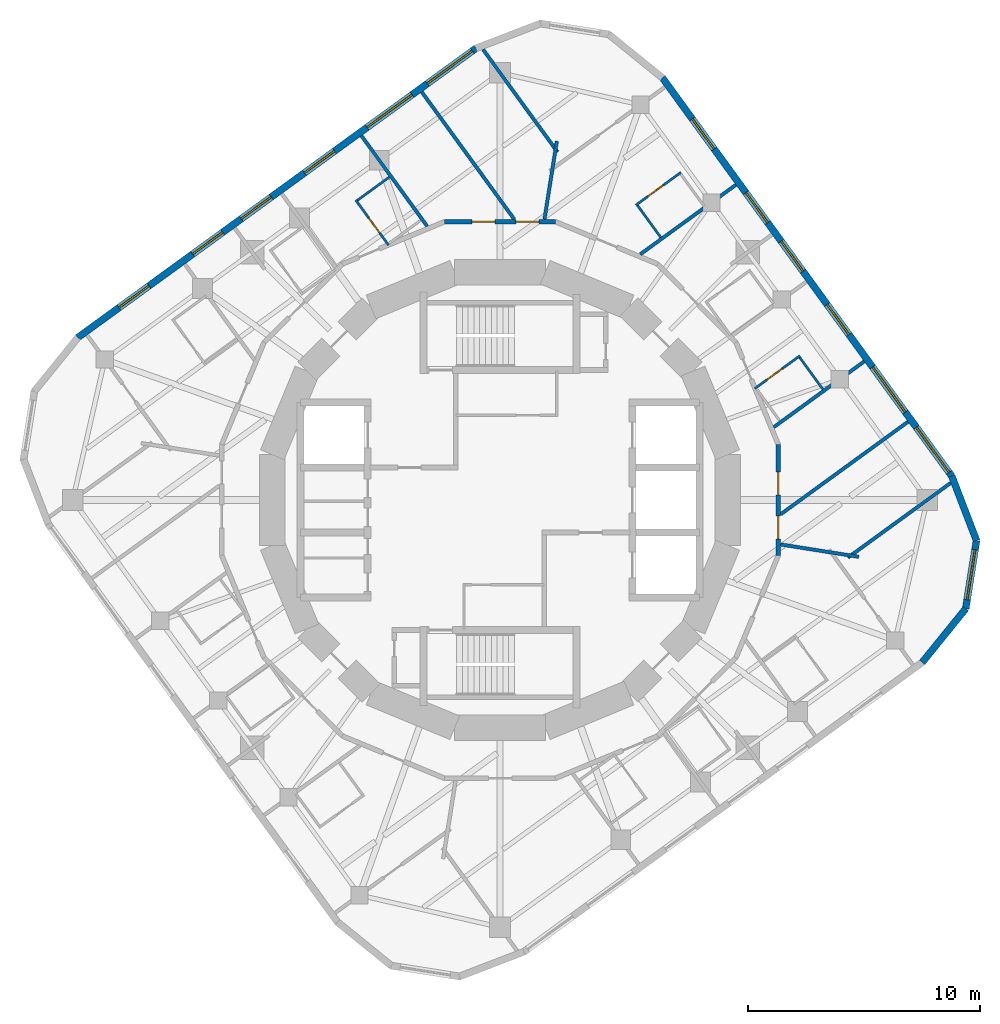
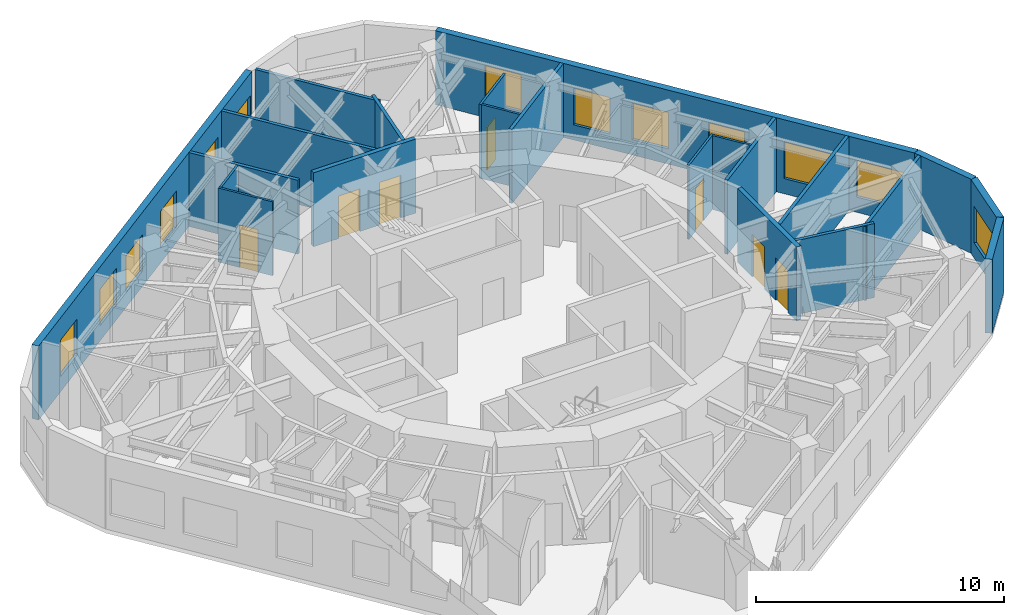
# One storey, part 7 of 9: 22 walls, 13 windows, 7 doors, 20 openings.
"""IFC4 building model written with IfcOpenShell, lengths in metres."""

import ifcopenshell
import ifcopenshell.guid

model = None  # the IFC model being written
_history = None  # IfcOwnerHistory: only IFC2X3 demands one
_inside = {}  # id of a spatial element -> (the spatial element, [elements in it])
_under = {}  # id of a project, library or spatial element -> (it, [spatial elements below it])
_declared = {}  # id of a project -> (the project, [libraries it declares])
_typed = {}  # id of a type object -> (the type object, [elements of that type])
_made_of = {}  # id of a material, layer set ... -> (it, [elements and type objects made of it])


def new_model(schema):
    """Start an empty IFC model of exactly this schema.

    Asked for "IFC4X3", IfcOpenShell would pick the latest addendum, in which some entities
    have other attributes; the version numbers below select the first issue.
    IFC2X3 requires an IfcOwnerHistory on every rooted entity: one is made here for all.
    """
    global model, _history
    if schema == "IFC4X3":
        model = ifcopenshell.file(schema_version=(4, 3, 0, 0))
    else:
        model = ifcopenshell.file(schema=schema)
    _inside.clear()
    _under.clear()
    _declared.clear()
    _typed.clear()
    _made_of.clear()
    _history = None
    if model.schema == "IFC2X3":
        org = make("IfcOrganization", Name="unknown")
        user = make(
            "IfcPersonAndOrganization",
            ThePerson=make("IfcPerson", FamilyName="unknown"),
            TheOrganization=org,
        )
        app = make(
            "IfcApplication",
            ApplicationDeveloper=org,
            Version="unknown",
            ApplicationFullName="unknown",
            ApplicationIdentifier="unknown",
        )
        _history = make(
            "IfcOwnerHistory",
            OwningUser=user,
            OwningApplication=app,
            ChangeAction="ADDED",
            CreationDate=0,
        )
    return model


def make(cls, **values):
    """One entity of the class cls with the attributes given. An attribute that is None is left unset."""
    return model.create_entity(
        cls, **{name: value for name, value in values.items() if value is not None}
    )


def rooted(cls, **values):
    """An entity with a GlobalId (a new one), such as an element, a storey or a relation."""
    return make(cls, GlobalId=ifcopenshell.guid.new(), OwnerHistory=_history, **values)


def si_unit(unit_type, name, prefix=None):
    """IfcSIUnit, for example si_unit("LENGTHUNIT", "METRE", prefix="MILLI")."""
    return make("IfcSIUnit", UnitType=unit_type, Prefix=prefix, Name=name)


def assignment(units):
    """IfcUnitAssignment: the units of a project."""
    return None if units is None else make("IfcUnitAssignment", Units=units)


def point(xyz):
    """IfcCartesianPoint."""
    return None if xyz is None else make("IfcCartesianPoint", Coordinates=xyz)


def direction(xyz):
    """IfcDirection."""
    return None if xyz is None else make("IfcDirection", DirectionRatios=xyz)


def frame(location, z_axis=None, x_axis=None):
    """IfcAxis2Placement3D, a coordinate frame: its origin and axes. An axis left out is left unset."""
    return make(
        "IfcAxis2Placement3D",
        Location=point(location),
        Axis=direction(z_axis),
        RefDirection=direction(x_axis),
    )


def frame_2d(location, x_axis=None):
    """IfcAxis2Placement2D, a coordinate frame in the plane: its origin and x axis."""
    return make(
        "IfcAxis2Placement2D", Location=point(location), RefDirection=direction(x_axis)
    )


def origin():
    """The frame at (0, 0, 0) with its axes left unset."""
    return frame((0.0, 0.0, 0.0))


def place(relative_to, where):
    """IfcLocalPlacement: puts the frame where relative to a parent placement (None: the world)."""
    return make(
        "IfcLocalPlacement", PlacementRelTo=relative_to, RelativePlacement=where
    )


def context(
    kind, dimensions, precision=None, world=None, true_north=None, identifier=None
):
    """IfcGeometricRepresentationContext, for example the 3D "Model" context."""
    return make(
        "IfcGeometricRepresentationContext",
        ContextIdentifier=identifier,
        ContextType=kind,
        CoordinateSpaceDimension=dimensions,
        Precision=precision,
        WorldCoordinateSystem=world,
        TrueNorth=true_north,
    )


def subcontext(parent, identifier, kind, view, scale=None):
    """IfcGeometricRepresentationSubContext, for example "Body" below "Model"."""
    return make(
        "IfcGeometricRepresentationSubContext",
        ContextIdentifier=identifier,
        ContextType=kind,
        ParentContext=parent,
        TargetScale=scale,
        TargetView=view,
    )


def project(units=None, contexts=None):
    """IfcProject with its units and contexts."""
    return rooted(
        "IfcProject",
        Name="project",
        RepresentationContexts=contexts,
        UnitsInContext=assignment(units),
    )


def spatial(cls, under=None, at=None, **own):
    """A site, building, storey or space (cls), placed at a placement, below another one or the project."""
    s = rooted(cls, ObjectPlacement=at, **own)
    if under is not None:
        _under.setdefault(under.id(), (under, []))[1].append(s)
    return s


def profile(cls, at=None, kind="AREA", **sizes):
    """A parametric profile (cls). Its sizes go by their IFC names, for example OverallWidth=200.0."""
    return make(cls, ProfileType=kind, Position=at, **sizes)


def rectangle(**sizes):
    """IfcRectangleProfileDef."""
    return profile("IfcRectangleProfileDef", **sizes)


def extrude(swept, where, along, depth):
    """IfcExtrudedAreaSolid: the profile swept, set in the frame where, extruded along a direction by depth."""
    return make(
        "IfcExtrudedAreaSolid",
        SweptArea=swept,
        Position=where,
        ExtrudedDirection=direction(along),
        Depth=depth,
    )


def shape(context_of_items, identifier, shape_type, items):
    """IfcShapeRepresentation: the items that make up one representation, for example the "Body"."""
    return make(
        "IfcShapeRepresentation",
        ContextOfItems=context_of_items,
        RepresentationIdentifier=identifier,
        RepresentationType=shape_type,
        Items=items,
    )


def material(Name=None, Category=None):
    """IfcMaterial."""
    return make("IfcMaterial", Name=Name, Category=Category)


def layer(
    of_material, thickness, ventilated=None, Name=None, Category=None, Priority=None
):
    """IfcMaterialLayer: one layer of a wall or slab, of a material (None: an air gap)."""
    return make(
        "IfcMaterialLayer",
        Material=of_material,
        LayerThickness=thickness,
        IsVentilated=ventilated,
        Name=Name,
        Category=Category,
        Priority=Priority,
    )


def layer_set(layers, Name=None):
    """IfcMaterialLayerSet."""
    return make("IfcMaterialLayerSet", MaterialLayers=layers, LayerSetName=Name)


def made_of(thing, what):
    """Note that an element or type object is made of a material, layer set ...; save() writes the relation."""
    if what is not None:
        _made_of.setdefault(what.id(), (what, []))[1].append(thing)
    return thing


def type_object(cls, material=None, **own):
    """A type object (cls), such as IfcWallType, which elements share."""
    return made_of(rooted(cls, **own), material)


def element(
    cls,
    number,
    at=None,
    inside=None,
    cuts=None,
    type_object=None,
    material=None,
    context=None,
    identifier="Body",
    shape_type=None,
    held_by="IfcProductDefinitionShape",
    body=None,
    shapes=None,
    **own,
):
    """One element of the class cls, such as IfcWall. Its Tag is "e" and its number.

    at: its placement. inside: the storey or other place that contains it. cuts: it is an
    opening in that element (IfcRelVoidsElement). A single representation is given by context,
    identifier, shape_type and body (its items); several are given by shapes. held_by: the class
    of the entity that holds the representations. save() writes the other relations.
    """
    e = rooted(cls, Tag="e%d" % number, ObjectPlacement=at, **own)
    if body is not None:
        shapes = [shape(context, identifier, shape_type, body)]
    if shapes is not None:
        e.Representation = make(held_by, Representations=shapes)
    if inside is not None:
        _inside.setdefault(inside.id(), (inside, []))[1].append(e)
    if cuts is not None:
        rooted(
            "IfcRelVoidsElement", RelatingBuildingElement=cuts, RelatedOpeningElement=e
        )
    if type_object is not None:
        _typed.setdefault(type_object.id(), (type_object, []))[1].append(e)
    return made_of(e, material)


def fill(opening, filler):
    """IfcRelFillsElement: the door or window that sits in an opening."""
    return rooted(
        "IfcRelFillsElement",
        RelatingOpeningElement=opening,
        RelatedBuildingElement=filler,
    )


def aggregate(whole, parts):
    """IfcRelAggregates: a whole, such as a stair, and the parts it consists of."""
    return rooted("IfcRelAggregates", RelatingObject=whole, RelatedObjects=parts)


def save(model, path):
    """Write the relations noted so far, then the file.

    IfcRelAggregates (storeys below a building ...), IfcRelContainedInSpatialStructure (elements
    in a storey), IfcRelDefinesByType, IfcRelAssociatesMaterial and IfcRelDeclares: one each for
    every whole, place, type object, material and project.
    """
    for whole, parts in _under.values():
        aggregate(whole, parts)
    for where, things in _inside.values():
        rooted(
            "IfcRelContainedInSpatialStructure",
            RelatedElements=things,
            RelatingStructure=where,
        )
    for kind, things in _typed.values():
        rooted("IfcRelDefinesByType", RelatedObjects=things, RelatingType=kind)
    for what, things in _made_of.values():
        rooted("IfcRelAssociatesMaterial", RelatedObjects=things, RelatingMaterial=what)
    for by, libraries in _declared.values():
        rooted("IfcRelDeclares", RelatingContext=by, RelatedDefinitions=libraries)
    model.write(path)


model = new_model("IFC4")

# Units and contexts
model_context = context("Model", 3, precision=1e-05, world=origin(), true_north=direction((0.0, 1.0)))
body_context = subcontext(model_context, "Body", "Model", "MODEL_VIEW")
ifc_project = project(units=[si_unit("LENGTHUNIT", "METRE"), si_unit("AREAUNIT", "SQUARE_METRE"), si_unit("VOLUMEUNIT", "CUBIC_METRE"), si_unit("PLANEANGLEUNIT", "RADIAN"), si_unit("MASSUNIT", "GRAM", prefix="KILO")], contexts=[model_context])

# Site, building, storey
site_placement = place(None, origin())
site = spatial("IfcSite", under=ifc_project, at=site_placement, CompositionType="ELEMENT")
building_placement = place(site_placement, origin())
building = spatial("IfcBuilding", under=site, at=building_placement, Name="Nakasero Lantern House", CompositionType="ELEMENT")
storey_placement = place(building_placement, frame((0.0, 0.0, 275.300048828125)))
storey = spatial("IfcBuildingStorey", under=building, at=storey_placement, Name="L67", CompositionType="ELEMENT", Elevation=275.300048828125)

# Wall, openings, doors
ifc_material_1 = material(Name="Blockwork", Category="masonry")
ifc_layer_1 = layer(ifc_material_1, 0.199951171875)
ifc_layer_set_1 = layer_set([ifc_layer_1], Name="Corridor wall 200")
wall_type_1 = type_object("IfcWallType", Name="Corridor wall 200", PredefinedType="PARTITIONING", material=ifc_layer_set_1)
wall_1_placement = place(storey_placement, frame((11.98779296875, 2.384521484375, 0.0), z_axis=(0.0, 0.0, 1.0), x_axis=(0.0, -1.0, 0.0)))
wall_1 = element("IfcWall", 1, at=wall_1_placement, inside=storey, type_object=wall_type_1, Name="Corridor wall L67 RC00a", PredefinedType="PARTITIONING", context=body_context, shape_type="SweptSolid", body=[
    extrude(rectangle(XDim=4.76904296875, YDim=0.199951171875, at=frame_2d((2.384521484375, 0.0))), origin(), (0.0, 0.0, 1.0), 3.64990234375),
])
opening_1_placement = place(wall_1_placement, frame((3.070068359375, 0.0, 0.0)))
opening_1 = element("IfcOpeningElement", 2, at=opening_1_placement, cuts=wall_1, Name="Opening D03", PredefinedType="OPENING", context=body_context, shape_type="SweptSolid", body=[
    extrude(rectangle(XDim=1.0, YDim=2.10009765625, at=frame_2d((0.5, 1.050048828125))), frame((0.0, 0.119873046875, 0.0), z_axis=(0.0, -1.0, 0.0), x_axis=(1.0, 0.0, 0.0)), (0.0, 0.0, 1.0), 0.239990234375),
])
opening_2_placement = place(wall_1_placement, frame((1.169921875, 0.0, 0.0)))
opening_2 = element("IfcOpeningElement", 3, at=opening_2_placement, cuts=wall_1, Name="Opening D03", PredefinedType="OPENING", context=body_context, shape_type="SweptSolid", body=[
    extrude(rectangle(XDim=1.0, YDim=2.10009765625, at=frame_2d((0.5, 1.050048828125))), frame((0.0, 0.119873046875, 0.0), z_axis=(0.0, -1.0, 0.0), x_axis=(1.0, 0.0, 0.0)), (0.0, 0.0, 1.0), 0.239990234375),
])
ifc_material_2 = material(Name="Timber C24", Category="wood")
door_type_1 = type_object("IfcDoorType", Name="Lounge door FD30S 1000", OperationType="SINGLE_SWING_LEFT", PredefinedType="DOOR", material=ifc_material_2)
door_1_placement = place(opening_1_placement, origin())
door_1 = element("IfcDoor", 4, at=door_1_placement, inside=storey, type_object=door_type_1, Name="Door L67 DK0", OperationType="SINGLE_SWING_RIGHT", OverallHeight=2.10009765625, OverallWidth=1.0, PredefinedType="DOOR", context=body_context, shape_type="SweptSolid", body=[
    extrude(rectangle(XDim=1.0, YDim=2.10009765625, at=frame_2d((0.5, 1.050048828125))), frame((0.0, 0.02490234375, 0.0), z_axis=(0.0, -1.0, 0.0), x_axis=(1.0, 0.0, 0.0)), (0.0, 0.0, 1.0), 0.050048828125),
])
fill(opening_1, door_1)
door_2_placement = place(opening_2_placement, origin())
door_2 = element("IfcDoor", 5, at=door_2_placement, inside=storey, type_object=door_type_1, Name="Door L67 DK0-1", OperationType="SINGLE_SWING_LEFT", OverallHeight=2.10009765625, OverallWidth=1.0, PredefinedType="DOOR", context=body_context, shape_type="SweptSolid", body=[
    extrude(rectangle(XDim=1.0, YDim=2.10009765625, at=frame_2d((0.5, 1.050048828125))), frame((0.0, 0.02490234375, 0.0), z_axis=(0.0, -1.0, 0.0), x_axis=(1.0, 0.0, 0.0)), (0.0, 0.0, 1.0), 0.050048828125),
])
fill(opening_2, door_2)

wall_2_placement = place(storey_placement, frame((-2.384521484375, 11.98779296875, 0.0), z_axis=(0.0, 0.0, 1.0), x_axis=(1.0, 0.0, 0.0)))
wall_2 = element("IfcWall", 6, at=wall_2_placement, inside=storey, type_object=wall_type_1, Name="Corridor wall L67 RC12a", PredefinedType="PARTITIONING", context=body_context, shape_type="SweptSolid", body=[
    extrude(rectangle(XDim=4.76904296875, YDim=0.199951171875, at=frame_2d((2.384521484375, 0.0))), origin(), (0.0, 0.0, 1.0), 3.64990234375),
])
opening_3_placement = place(wall_2_placement, frame((3.070068359375, 0.0, 0.0)))
opening_3 = element("IfcOpeningElement", 7, at=opening_3_placement, cuts=wall_2, Name="Opening D03", PredefinedType="OPENING", context=body_context, shape_type="SweptSolid", body=[
    extrude(rectangle(XDim=1.0, YDim=2.10009765625, at=frame_2d((0.5, 1.050048828125))), frame((0.0, 0.119873046875, 0.0), z_axis=(0.0, -1.0, 0.0), x_axis=(1.0, 0.0, 0.0)), (0.0, 0.0, 1.0), 0.239990234375),
])
opening_4_placement = place(wall_2_placement, frame((1.169921875, 0.0, 0.0)))
opening_4 = element("IfcOpeningElement", 8, at=opening_4_placement, cuts=wall_2, Name="Opening D03", PredefinedType="OPENING", context=body_context, shape_type="SweptSolid", body=[
    extrude(rectangle(XDim=1.0, YDim=2.10009765625, at=frame_2d((0.5, 1.050048828125))), frame((0.0, 0.119873046875, 0.0), z_axis=(0.0, -1.0, 0.0), x_axis=(1.0, 0.0, 0.0)), (0.0, 0.0, 1.0), 0.239990234375),
])
door_3_placement = place(opening_3_placement, origin())
door_3 = element("IfcDoor", 9, at=door_3_placement, inside=storey, type_object=door_type_1, Name="Door L67 DK1", OperationType="SINGLE_SWING_RIGHT", OverallHeight=2.10009765625, OverallWidth=1.0, PredefinedType="DOOR", context=body_context, shape_type="SweptSolid", body=[
    extrude(rectangle(XDim=1.0, YDim=2.10009765625, at=frame_2d((0.5, 1.050048828125))), frame((0.0, 0.02490234375, 0.0), z_axis=(0.0, -1.0, 0.0), x_axis=(1.0, 0.0, 0.0)), (0.0, 0.0, 1.0), 0.050048828125),
])
fill(opening_3, door_3)
door_4_placement = place(opening_4_placement, origin())
door_4 = element("IfcDoor", 10, at=door_4_placement, inside=storey, type_object=door_type_1, Name="Door L67 DK1-1", OperationType="SINGLE_SWING_LEFT", OverallHeight=2.10009765625, OverallWidth=1.0, PredefinedType="DOOR", context=body_context, shape_type="SweptSolid", body=[
    extrude(rectangle(XDim=1.0, YDim=2.10009765625, at=frame_2d((0.5, 1.050048828125))), frame((0.0, 0.02490234375, 0.0), z_axis=(0.0, -1.0, 0.0), x_axis=(1.0, 0.0, 0.0)), (0.0, 0.0, 1.0), 0.050048828125),
])
fill(opening_4, door_4)

# Wall, opening, door
ifc_material_3 = material(Name="Blockwork", Category="masonry")
ifc_layer_2 = layer(ifc_material_3, 0.10009765625)
ifc_layer_set_2 = layer_set([ifc_layer_2], Name="En-suite wall 100")
wall_type_2 = type_object("IfcWallType", Name="En-suite wall 100", PredefinedType="PARTITIONING", material=ifc_layer_set_2)
wall_3_placement = place(storey_placement, frame((10.97705078125, 4.80126953125, 0.0), z_axis=(0.0, 0.0, 1.0), x_axis=(0.809026317077, 0.587772420479, 0.0)))
wall_3 = element("IfcWall", 11, at=wall_3_placement, inside=storey, type_object=wall_type_2, Name="En-suite wall L67 ES0-03", PredefinedType="PARTITIONING", context=body_context, shape_type="SweptSolid", body=[
    extrude(rectangle(XDim=2.39990234375, YDim=0.10009765625, at=frame_2d((1.199951171875, 0.0))), origin(), (0.0, 0.0, 1.0), 3.64990234375),
])
opening_5_placement = place(wall_3_placement, frame((0.64990234375, 0.0, 0.0)))
opening_5 = element("IfcOpeningElement", 12, at=opening_5_placement, cuts=wall_3, Name="Opening D02", PredefinedType="OPENING", context=body_context, shape_type="SweptSolid", body=[
    extrude(rectangle(XDim=0.800048828125, YDim=2.10009765625, at=frame_2d((0.39990234375, 1.050048828125))), frame((0.0, 0.070068359375, 0.0), z_axis=(0.0, -1.0, 0.0), x_axis=(1.0, 0.0, 0.0)), (0.0, 0.0, 1.0), 0.14013671875),
])
ifc_material_4 = material(Name="Timber C24", Category="wood")
door_type_2 = type_object("IfcDoorType", Name="En-suite door 800", OperationType="SINGLE_SWING_RIGHT", PredefinedType="DOOR", material=ifc_material_4)
door_5_placement = place(opening_5_placement, origin())
door_5 = element("IfcDoor", 13, at=door_5_placement, inside=storey, type_object=door_type_2, Name="Door L67 DE0-03", OperationType="SINGLE_SWING_LEFT", OverallHeight=2.10009765625, OverallWidth=0.800048828125, PredefinedType="DOOR", context=body_context, shape_type="SweptSolid", body=[
    extrude(rectangle(XDim=0.800048828125, YDim=2.10009765625, at=frame_2d((0.39990234375, 1.050048828125))), frame((0.0, 0.02490234375, 0.0), z_axis=(0.0, -1.0, 0.0), x_axis=(1.0, 0.0, 0.0)), (0.0, 0.0, 1.0), 0.050048828125),
])
fill(opening_5, door_5)

# Wall
wall_4_placement = place(storey_placement, frame((13.906982421875, 4.766845703125, 0.0), z_axis=(0.0, 0.0, 1.0), x_axis=(-0.587821529301, 0.808990636343, 0.0)))
element("IfcWall", 14, at=wall_4_placement, inside=storey, type_object=wall_type_2, Name="En-suite wall L67 EE0-03", PredefinedType="PARTITIONING", context=body_context, shape_type="SweptSolid", body=[
    extrude(rectangle(XDim=1.699951171875, YDim=0.10009765625, at=frame_2d((0.85009765625, 0.0))), origin(), (0.0, 0.0, 1.0), 3.64990234375),
])

# Wall, opening, door
wall_5_placement = place(storey_placement, frame((5.852783203125, 12.7001953125, 0.0), z_axis=(0.0, 0.0, 1.0), x_axis=(0.809026317077, 0.587772420479, 0.0)))
wall_5 = element("IfcWall", 15, at=wall_5_placement, inside=storey, type_object=wall_type_2, Name="En-suite wall L67 ES0-06", PredefinedType="PARTITIONING", context=body_context, shape_type="SweptSolid", body=[
    extrude(rectangle(XDim=2.39990234375, YDim=0.10009765625, at=frame_2d((1.199951171875, 0.0))), origin(), (0.0, 0.0, 1.0), 3.64990234375),
])
opening_6_placement = place(wall_5_placement, frame((0.64990234375, 0.0, 0.0)))
opening_6 = element("IfcOpeningElement", 16, at=opening_6_placement, cuts=wall_5, Name="Opening D02", PredefinedType="OPENING", context=body_context, shape_type="SweptSolid", body=[
    extrude(rectangle(XDim=0.800048828125, YDim=2.10009765625, at=frame_2d((0.39990234375, 1.050048828125))), frame((0.0, 0.070068359375, 0.0), z_axis=(0.0, -1.0, 0.0), x_axis=(1.0, 0.0, 0.0)), (0.0, 0.0, 1.0), 0.14013671875),
])
door_6_placement = place(opening_6_placement, origin())
door_6 = element("IfcDoor", 17, at=door_6_placement, inside=storey, type_object=door_type_2, Name="Door L67 DE0-06", OperationType="SINGLE_SWING_LEFT", OverallHeight=2.10009765625, OverallWidth=0.800048828125, PredefinedType="DOOR", context=body_context, shape_type="SweptSolid", body=[
    extrude(rectangle(XDim=0.800048828125, YDim=2.10009765625, at=frame_2d((0.39990234375, 1.050048828125))), frame((0.0, 0.02490234375, 0.0), z_axis=(0.0, -1.0, 0.0), x_axis=(1.0, 0.0, 0.0)), (0.0, 0.0, 1.0), 0.050048828125),
])
fill(opening_6, door_6)

# Wall
wall_6_placement = place(storey_placement, frame((6.921875, 11.313720703125, 0.0), z_axis=(0.0, 0.0, 1.0), x_axis=(-0.58775323954, 0.809040252033, 0.0)))
element("IfcWall", 18, at=wall_6_placement, inside=storey, type_object=wall_type_2, Name="En-suite wall L67 EI0-06", PredefinedType="PARTITIONING", context=body_context, shape_type="SweptSolid", body=[
    extrude(rectangle(XDim=1.7001953125, YDim=0.10009765625, at=frame_2d((0.85009765625, 0.0))), origin(), (0.0, 0.0, 1.0), 3.64990234375),
])

# Wall, opening, door
wall_7_placement = place(storey_placement, frame((-4.80126953125, 10.97705078125, 0.0), z_axis=(0.0, 0.0, 1.0), x_axis=(-0.587772420479, 0.809026317077, 0.0)))
wall_7 = element("IfcWall", 19, at=wall_7_placement, inside=storey, type_object=wall_type_2, Name="En-suite wall L67 ES1-03", PredefinedType="PARTITIONING", context=body_context, shape_type="SweptSolid", body=[
    extrude(rectangle(XDim=2.39990234375, YDim=0.10009765625, at=frame_2d((1.199951171875, 0.0))), origin(), (0.0, 0.0, 1.0), 3.64990234375),
])
opening_7_placement = place(wall_7_placement, frame((0.64990234375, 0.0, 0.0)))
opening_7 = element("IfcOpeningElement", 20, at=opening_7_placement, cuts=wall_7, Name="Opening D02", PredefinedType="OPENING", context=body_context, shape_type="SweptSolid", body=[
    extrude(rectangle(XDim=0.800048828125, YDim=2.10009765625, at=frame_2d((0.39990234375, 1.050048828125))), frame((0.0, 0.070068359375, 0.0), z_axis=(0.0, -1.0, 0.0), x_axis=(1.0, 0.0, 0.0)), (0.0, 0.0, 1.0), 0.14013671875),
])
door_7_placement = place(opening_7_placement, origin())
door_7 = element("IfcDoor", 21, at=door_7_placement, inside=storey, type_object=door_type_2, Name="Door L67 DE1-03", OperationType="SINGLE_SWING_LEFT", OverallHeight=2.10009765625, OverallWidth=0.800048828125, PredefinedType="DOOR", context=body_context, shape_type="SweptSolid", body=[
    extrude(rectangle(XDim=0.800048828125, YDim=2.10009765625, at=frame_2d((0.39990234375, 1.050048828125))), frame((0.0, 0.02490234375, 0.0), z_axis=(0.0, -1.0, 0.0), x_axis=(1.0, 0.0, 0.0)), (0.0, 0.0, 1.0), 0.050048828125),
])
fill(opening_7, door_7)

# Wall
wall_8_placement = place(storey_placement, frame((-4.766845703125, 13.906982421875, 0.0), z_axis=(0.0, 0.0, 1.0), x_axis=(-0.808990636343, -0.587821529301, 0.0)))
element("IfcWall", 22, at=wall_8_placement, inside=storey, type_object=wall_type_2, Name="En-suite wall L67 EE1-03", PredefinedType="PARTITIONING", context=body_context, shape_type="SweptSolid", body=[
    extrude(rectangle(XDim=1.699951171875, YDim=0.10009765625, at=frame_2d((0.85009765625, 0.0))), origin(), (0.0, 0.0, 1.0), 3.64990234375),
])

# Wall, openings, windows
ifc_material_5 = material(Name="Aluminium rainscreen on blockwork", Category="masonry")
ifc_layer_3 = layer(ifc_material_5, 0.300048828125)
ifc_layer_set_3 = layer_set([ifc_layer_3], Name="Facade wall 300")
wall_type_3 = type_object("IfcWallType", Name="Facade wall 300", PredefinedType="SOLIDWALL", material=ifc_layer_set_3)
wall_9_placement = place(storey_placement, frame((19.4580078125, 1.03466796875, 0.0), z_axis=(0.0, 0.0, 1.0), x_axis=(-0.587790233451, 0.809013375328, 0.0)))
wall_9 = element("IfcWall", 23, at=wall_9_placement, inside=storey, type_object=wall_type_3, Name="Facade wall L67 FW0S", PredefinedType="SOLIDWALL", context=body_context, shape_type="SweptSolid", body=[
    extrude(rectangle(XDim=21.199951171875, YDim=0.300048828125, at=frame_2d((10.60009765625, 0.0))), origin(), (0.0, 0.0, 1.0), 3.64990234375),
])
opening_8_placement = place(wall_9_placement, frame((7.52783203125, 0.0, 0.75)))
opening_8 = element("IfcOpeningElement", 24, at=opening_8_placement, cuts=wall_9, Name="Opening W01", PredefinedType="OPENING", context=body_context, shape_type="SweptSolid", body=[
    extrude(rectangle(XDim=1.60009765625, YDim=1.800048828125, at=frame_2d((0.800048828125, 0.89990234375))), frame((0.0, 0.169921875, 0.0), z_axis=(0.0, -1.0, 0.0), x_axis=(1.0, 0.0, 0.0)), (0.0, 0.0, 1.0), 0.340087890625),
])
opening_9_placement = place(wall_9_placement, frame((10.904052734375, 0.0, 0.75)))
opening_9 = element("IfcOpeningElement", 25, at=opening_9_placement, cuts=wall_9, Name="Opening W01", PredefinedType="OPENING", context=body_context, shape_type="SweptSolid", body=[
    extrude(rectangle(XDim=1.60009765625, YDim=1.800048828125, at=frame_2d((0.800048828125, 0.89990234375))), frame((0.0, 0.169921875, 0.0), z_axis=(0.0, -1.0, 0.0), x_axis=(1.0, 0.0, 0.0)), (0.0, 0.0, 1.0), 0.340087890625),
])
opening_10_placement = place(wall_9_placement, frame((13.484619140625, 0.0, 0.75)))
opening_10 = element("IfcOpeningElement", 26, at=opening_10_placement, cuts=wall_9, Name="Opening W01", PredefinedType="OPENING", context=body_context, shape_type="SweptSolid", body=[
    extrude(rectangle(XDim=1.60009765625, YDim=1.800048828125, at=frame_2d((0.800048828125, 0.89990234375))), frame((0.0, 0.169921875, 0.0), z_axis=(0.0, -1.0, 0.0), x_axis=(1.0, 0.0, 0.0)), (0.0, 0.0, 1.0), 0.340087890625),
])
opening_11_placement = place(wall_9_placement, frame((17.410888671875, 0.0, 0.75)))
opening_11 = element("IfcOpeningElement", 27, at=opening_11_placement, cuts=wall_9, Name="Opening W01", PredefinedType="OPENING", context=body_context, shape_type="SweptSolid", body=[
    extrude(rectangle(XDim=1.60009765625, YDim=1.800048828125, at=frame_2d((0.800048828125, 0.89990234375))), frame((0.0, 0.169921875, 0.0), z_axis=(0.0, -1.0, 0.0), x_axis=(1.0, 0.0, 0.0)), (0.0, 0.0, 1.0), 0.340087890625),
])
opening_12_placement = place(wall_9_placement, frame((0.1904296875, 0.0, 0.75)))
opening_12 = element("IfcOpeningElement", 28, at=opening_12_placement, cuts=wall_9, Name="Opening W03", PredefinedType="OPENING", context=body_context, shape_type="SweptSolid", body=[
    extrude(rectangle(XDim=2.39990234375, YDim=1.800048828125, at=frame_2d((1.199951171875, 0.89990234375))), frame((0.0, 0.169921875, 0.0), z_axis=(0.0, -1.0, 0.0), x_axis=(1.0, 0.0, 0.0)), (0.0, 0.0, 1.0), 0.340087890625),
])
opening_13_placement = place(wall_9_placement, frame((3.401611328125, 0.0, 0.75)))
opening_13 = element("IfcOpeningElement", 29, at=opening_13_placement, cuts=wall_9, Name="Opening W03", PredefinedType="OPENING", context=body_context, shape_type="SweptSolid", body=[
    extrude(rectangle(XDim=2.39990234375, YDim=1.800048828125, at=frame_2d((1.199951171875, 0.89990234375))), frame((0.0, 0.169921875, 0.0), z_axis=(0.0, -1.0, 0.0), x_axis=(1.0, 0.0, 0.0)), (0.0, 0.0, 1.0), 0.340087890625),
])
ifc_material_6 = material(Name="Aluminium 6063-T6 and glass", Category="aluminium")
window_type_1 = type_object("IfcWindowType", Name="Bedroom window 1600x1800", PartitioningType="SINGLE_PANEL", PredefinedType="WINDOW", material=ifc_material_6)
window_1_placement = place(opening_8_placement, origin())
window_1 = element("IfcWindow", 30, at=window_1_placement, inside=storey, type_object=window_type_1, Name="Window L67 WN0-03", OverallHeight=1.800048828125, OverallWidth=1.60009765625, PartitioningType="SINGLE_PANEL", PredefinedType="WINDOW", context=body_context, shape_type="SweptSolid", body=[
    extrude(rectangle(XDim=1.60009765625, YDim=1.800048828125, at=frame_2d((0.800048828125, 0.89990234375))), frame((0.0, 0.030029296875, 0.0), z_axis=(0.0, -1.0, 0.0), x_axis=(1.0, 0.0, 0.0)), (0.0, 0.0, 1.0), 0.06005859375),
])
fill(opening_8, window_1)
window_2_placement = place(opening_9_placement, origin())
window_2 = element("IfcWindow", 31, at=window_2_placement, inside=storey, type_object=window_type_1, Name="Window L67 WN0-04", OverallHeight=1.800048828125, OverallWidth=1.60009765625, PartitioningType="SINGLE_PANEL", PredefinedType="WINDOW", context=body_context, shape_type="SweptSolid", body=[
    extrude(rectangle(XDim=1.60009765625, YDim=1.800048828125, at=frame_2d((0.800048828125, 0.89990234375))), frame((0.0, 0.030029296875, 0.0), z_axis=(0.0, -1.0, 0.0), x_axis=(1.0, 0.0, 0.0)), (0.0, 0.0, 1.0), 0.06005859375),
])
fill(opening_9, window_2)
window_3_placement = place(opening_10_placement, origin())
window_3 = element("IfcWindow", 32, at=window_3_placement, inside=storey, type_object=window_type_1, Name="Window L67 WN0-05", OverallHeight=1.800048828125, OverallWidth=1.60009765625, PartitioningType="SINGLE_PANEL", PredefinedType="WINDOW", context=body_context, shape_type="SweptSolid", body=[
    extrude(rectangle(XDim=1.60009765625, YDim=1.800048828125, at=frame_2d((0.800048828125, 0.89990234375))), frame((0.0, 0.030029296875, 0.0), z_axis=(0.0, -1.0, 0.0), x_axis=(1.0, 0.0, 0.0)), (0.0, 0.0, 1.0), 0.06005859375),
])
fill(opening_10, window_3)
window_4_placement = place(opening_11_placement, origin())
window_4 = element("IfcWindow", 33, at=window_4_placement, inside=storey, type_object=window_type_1, Name="Window L67 WN0-06", OverallHeight=1.800048828125, OverallWidth=1.60009765625, PartitioningType="SINGLE_PANEL", PredefinedType="WINDOW", context=body_context, shape_type="SweptSolid", body=[
    extrude(rectangle(XDim=1.60009765625, YDim=1.800048828125, at=frame_2d((0.800048828125, 0.89990234375))), frame((0.0, 0.030029296875, 0.0), z_axis=(0.0, -1.0, 0.0), x_axis=(1.0, 0.0, 0.0)), (0.0, 0.0, 1.0), 0.06005859375),
])
fill(opening_11, window_4)
ifc_material_7 = material(Name="Aluminium 6063-T6 and glass", Category="aluminium")
window_type_2 = type_object("IfcWindowType", Name="Lounge window 2400x1800", PartitioningType="SINGLE_PANEL", PredefinedType="WINDOW", material=ifc_material_7)
window_5_placement = place(opening_12_placement, origin())
window_5 = element("IfcWindow", 34, at=window_5_placement, inside=storey, type_object=window_type_2, Name="Window L67 WK0", OverallHeight=1.800048828125, OverallWidth=2.39990234375, PartitioningType="SINGLE_PANEL", PredefinedType="WINDOW", context=body_context, shape_type="SweptSolid", body=[
    extrude(rectangle(XDim=2.39990234375, YDim=1.800048828125, at=frame_2d((1.199951171875, 0.89990234375))), frame((0.0, 0.030029296875, 0.0), z_axis=(0.0, -1.0, 0.0), x_axis=(1.0, 0.0, 0.0)), (0.0, 0.0, 1.0), 0.06005859375),
])
fill(opening_12, window_5)
window_6_placement = place(opening_13_placement, origin())
window_6 = element("IfcWindow", 35, at=window_6_placement, inside=storey, type_object=window_type_2, Name="Window L67 WL0", OverallHeight=1.800048828125, OverallWidth=2.39990234375, PartitioningType="SINGLE_PANEL", PredefinedType="WINDOW", context=body_context, shape_type="SweptSolid", body=[
    extrude(rectangle(XDim=2.39990234375, YDim=1.800048828125, at=frame_2d((1.199951171875, 0.89990234375))), frame((0.0, 0.030029296875, 0.0), z_axis=(0.0, -1.0, 0.0), x_axis=(1.0, 0.0, 0.0)), (0.0, 0.0, 1.0), 0.06005859375),
])
fill(opening_13, window_6)

wall_10_placement = place(storey_placement, frame((-1.03466796875, 19.4580078125, 0.0), z_axis=(0.0, 0.0, 1.0), x_axis=(-0.809013375328, -0.587790233451, 0.0)))
wall_10 = element("IfcWall", 36, at=wall_10_placement, inside=storey, type_object=wall_type_3, Name="Facade wall L67 FW1S", PredefinedType="SOLIDWALL", context=body_context, shape_type="SweptSolid", body=[
    extrude(rectangle(XDim=21.199951171875, YDim=0.300048828125, at=frame_2d((10.60009765625, 0.0))), origin(), (0.0, 0.0, 1.0), 3.64990234375),
])
opening_14_placement = place(wall_10_placement, frame((7.52783203125, 0.0, 0.75)))
opening_14 = element("IfcOpeningElement", 37, at=opening_14_placement, cuts=wall_10, Name="Opening W01", PredefinedType="OPENING", context=body_context, shape_type="SweptSolid", body=[
    extrude(rectangle(XDim=1.60009765625, YDim=1.800048828125, at=frame_2d((0.800048828125, 0.89990234375))), frame((0.0, 0.169921875, 0.0), z_axis=(0.0, -1.0, 0.0), x_axis=(1.0, 0.0, 0.0)), (0.0, 0.0, 1.0), 0.340087890625),
])
opening_15_placement = place(wall_10_placement, frame((10.904052734375, 0.0, 0.75)))
opening_15 = element("IfcOpeningElement", 38, at=opening_15_placement, cuts=wall_10, Name="Opening W01", PredefinedType="OPENING", context=body_context, shape_type="SweptSolid", body=[
    extrude(rectangle(XDim=1.60009765625, YDim=1.800048828125, at=frame_2d((0.800048828125, 0.89990234375))), frame((0.0, 0.169921875, 0.0), z_axis=(0.0, -1.0, 0.0), x_axis=(1.0, 0.0, 0.0)), (0.0, 0.0, 1.0), 0.340087890625),
])
opening_16_placement = place(wall_10_placement, frame((13.484619140625, 0.0, 0.75)))
opening_16 = element("IfcOpeningElement", 39, at=opening_16_placement, cuts=wall_10, Name="Opening W01", PredefinedType="OPENING", context=body_context, shape_type="SweptSolid", body=[
    extrude(rectangle(XDim=1.60009765625, YDim=1.800048828125, at=frame_2d((0.800048828125, 0.89990234375))), frame((0.0, 0.169921875, 0.0), z_axis=(0.0, -1.0, 0.0), x_axis=(1.0, 0.0, 0.0)), (0.0, 0.0, 1.0), 0.340087890625),
])
opening_17_placement = place(wall_10_placement, frame((17.410888671875, 0.0, 0.75)))
opening_17 = element("IfcOpeningElement", 40, at=opening_17_placement, cuts=wall_10, Name="Opening W01", PredefinedType="OPENING", context=body_context, shape_type="SweptSolid", body=[
    extrude(rectangle(XDim=1.60009765625, YDim=1.800048828125, at=frame_2d((0.800048828125, 0.89990234375))), frame((0.0, 0.169921875, 0.0), z_axis=(0.0, -1.0, 0.0), x_axis=(1.0, 0.0, 0.0)), (0.0, 0.0, 1.0), 0.340087890625),
])
opening_18_placement = place(wall_10_placement, frame((0.1904296875, 0.0, 0.75)))
opening_18 = element("IfcOpeningElement", 41, at=opening_18_placement, cuts=wall_10, Name="Opening W03", PredefinedType="OPENING", context=body_context, shape_type="SweptSolid", body=[
    extrude(rectangle(XDim=2.39990234375, YDim=1.800048828125, at=frame_2d((1.199951171875, 0.89990234375))), frame((0.0, 0.169921875, 0.0), z_axis=(0.0, -1.0, 0.0), x_axis=(1.0, 0.0, 0.0)), (0.0, 0.0, 1.0), 0.340087890625),
])
opening_19_placement = place(wall_10_placement, frame((3.401611328125, 0.0, 0.75)))
opening_19 = element("IfcOpeningElement", 42, at=opening_19_placement, cuts=wall_10, Name="Opening W03", PredefinedType="OPENING", context=body_context, shape_type="SweptSolid", body=[
    extrude(rectangle(XDim=2.39990234375, YDim=1.800048828125, at=frame_2d((1.199951171875, 0.89990234375))), frame((0.0, 0.169921875, 0.0), z_axis=(0.0, -1.0, 0.0), x_axis=(1.0, 0.0, 0.0)), (0.0, 0.0, 1.0), 0.340087890625),
])
window_7_placement = place(opening_14_placement, origin())
window_7 = element("IfcWindow", 43, at=window_7_placement, inside=storey, type_object=window_type_1, Name="Window L67 WN1-03", OverallHeight=1.800048828125, OverallWidth=1.60009765625, PartitioningType="SINGLE_PANEL", PredefinedType="WINDOW", context=body_context, shape_type="SweptSolid", body=[
    extrude(rectangle(XDim=1.60009765625, YDim=1.800048828125, at=frame_2d((0.800048828125, 0.89990234375))), frame((0.0, 0.030029296875, 0.0), z_axis=(0.0, -1.0, 0.0), x_axis=(1.0, 0.0, 0.0)), (0.0, 0.0, 1.0), 0.06005859375),
])
fill(opening_14, window_7)
window_8_placement = place(opening_15_placement, origin())
window_8 = element("IfcWindow", 44, at=window_8_placement, inside=storey, type_object=window_type_1, Name="Window L67 WN1-04", OverallHeight=1.800048828125, OverallWidth=1.60009765625, PartitioningType="SINGLE_PANEL", PredefinedType="WINDOW", context=body_context, shape_type="SweptSolid", body=[
    extrude(rectangle(XDim=1.60009765625, YDim=1.800048828125, at=frame_2d((0.800048828125, 0.89990234375))), frame((0.0, 0.030029296875, 0.0), z_axis=(0.0, -1.0, 0.0), x_axis=(1.0, 0.0, 0.0)), (0.0, 0.0, 1.0), 0.06005859375),
])
fill(opening_15, window_8)
window_9_placement = place(opening_16_placement, origin())
window_9 = element("IfcWindow", 45, at=window_9_placement, inside=storey, type_object=window_type_1, Name="Window L67 WN1-05", OverallHeight=1.800048828125, OverallWidth=1.60009765625, PartitioningType="SINGLE_PANEL", PredefinedType="WINDOW", context=body_context, shape_type="SweptSolid", body=[
    extrude(rectangle(XDim=1.60009765625, YDim=1.800048828125, at=frame_2d((0.800048828125, 0.89990234375))), frame((0.0, 0.030029296875, 0.0), z_axis=(0.0, -1.0, 0.0), x_axis=(1.0, 0.0, 0.0)), (0.0, 0.0, 1.0), 0.06005859375),
])
fill(opening_16, window_9)
window_10_placement = place(opening_17_placement, origin())
window_10 = element("IfcWindow", 46, at=window_10_placement, inside=storey, type_object=window_type_1, Name="Window L67 WN1-06", OverallHeight=1.800048828125, OverallWidth=1.60009765625, PartitioningType="SINGLE_PANEL", PredefinedType="WINDOW", context=body_context, shape_type="SweptSolid", body=[
    extrude(rectangle(XDim=1.60009765625, YDim=1.800048828125, at=frame_2d((0.800048828125, 0.89990234375))), frame((0.0, 0.030029296875, 0.0), z_axis=(0.0, -1.0, 0.0), x_axis=(1.0, 0.0, 0.0)), (0.0, 0.0, 1.0), 0.06005859375),
])
fill(opening_17, window_10)
window_11_placement = place(opening_18_placement, origin())
window_11 = element("IfcWindow", 47, at=window_11_placement, inside=storey, type_object=window_type_2, Name="Window L67 WK1", OverallHeight=1.800048828125, OverallWidth=2.39990234375, PartitioningType="SINGLE_PANEL", PredefinedType="WINDOW", context=body_context, shape_type="SweptSolid", body=[
    extrude(rectangle(XDim=2.39990234375, YDim=1.800048828125, at=frame_2d((1.199951171875, 0.89990234375))), frame((0.0, 0.030029296875, 0.0), z_axis=(0.0, -1.0, 0.0), x_axis=(1.0, 0.0, 0.0)), (0.0, 0.0, 1.0), 0.06005859375),
])
fill(opening_18, window_11)
window_12_placement = place(opening_19_placement, origin())
window_12 = element("IfcWindow", 48, at=window_12_placement, inside=storey, type_object=window_type_2, Name="Window L67 WL1", OverallHeight=1.800048828125, OverallWidth=2.39990234375, PartitioningType="SINGLE_PANEL", PredefinedType="WINDOW", context=body_context, shape_type="SweptSolid", body=[
    extrude(rectangle(XDim=2.39990234375, YDim=1.800048828125, at=frame_2d((1.199951171875, 0.89990234375))), frame((0.0, 0.030029296875, 0.0), z_axis=(0.0, -1.0, 0.0), x_axis=(1.0, 0.0, 0.0)), (0.0, 0.0, 1.0), 0.06005859375),
])
fill(opening_19, window_12)

# Wall
wall_11_placement = place(storey_placement, frame((18.185791015625, -6.996826171875, 0.0), z_axis=(0.0, 0.0, 1.0), x_axis=(0.629375183362, 0.777101588319, 0.0)))
element("IfcWall", 49, at=wall_11_placement, inside=storey, type_object=wall_type_3, Name="Facade wall L67 FW3C1", PredefinedType="SOLIDWALL", context=body_context, shape_type="SweptSolid", body=[
    extrude(rectangle(XDim=2.976318359375, YDim=0.300048828125, at=frame_2d((1.48828125, 0.0))), origin(), (0.0, 0.0, 1.0), 3.64990234375),
])

# Wall, opening, window
wall_12_placement = place(storey_placement, frame((20.05908203125, -4.683837890625, 0.0), z_axis=(0.0, 0.0, 1.0), x_axis=(0.156413227021, 0.987691704133, 0.0)))
wall_12 = element("IfcWall", 50, at=wall_12_placement, inside=storey, type_object=wall_type_3, Name="Facade wall L67 FW3C2", PredefinedType="SOLIDWALL", context=body_context, shape_type="SweptSolid", body=[
    extrude(rectangle(XDim=2.9765625, YDim=0.300048828125, at=frame_2d((1.48828125, 0.0))), origin(), (0.0, 0.0, 1.0), 3.64990234375),
])
opening_20_placement = place(wall_12_placement, frame((0.39990234375, 0.0, 0.75)))
opening_20 = element("IfcOpeningElement", 51, at=opening_20_placement, cuts=wall_12, Name="Opening W221", PredefinedType="OPENING", context=body_context, shape_type="SweptSolid", body=[
    extrude(rectangle(XDim=2.176025390625, YDim=1.800048828125, at=frame_2d((1.087890625, 0.89990234375))), frame((0.0, 0.169921875, 0.0), z_axis=(0.0, -1.0, 0.0), x_axis=(1.0, 0.0, 0.0)), (0.0, 0.0, 1.0), 0.340087890625),
])
ifc_material_8 = material(Name="Aluminium 6063-T6 and glass", Category="aluminium")
window_type_3 = type_object("IfcWindowType", Name="Corner window 2176x1800", PartitioningType="SINGLE_PANEL", PredefinedType="WINDOW", material=ifc_material_8)
window_13_placement = place(opening_20_placement, origin())
window_13 = element("IfcWindow", 52, at=window_13_placement, inside=storey, type_object=window_type_3, Name="Window L67 WC3", OverallHeight=1.800048828125, OverallWidth=2.176025390625, PartitioningType="SINGLE_PANEL", PredefinedType="WINDOW", context=body_context, shape_type="SweptSolid", body=[
    extrude(rectangle(XDim=2.176025390625, YDim=1.800048828125, at=frame_2d((1.087890625, 0.89990234375))), frame((0.0, 0.030029296875, 0.0), z_axis=(0.0, -1.0, 0.0), x_axis=(1.0, 0.0, 0.0)), (0.0, 0.0, 1.0), 0.06005859375),
])
fill(opening_20, window_13)

# Walls
wall_13_placement = place(storey_placement, frame((20.524658203125, -1.743896484375, 0.0), z_axis=(0.0, 0.0, 1.0), x_axis=(-0.35838535244, 0.933573745966, 0.0)))
element("IfcWall", 53, at=wall_13_placement, inside=storey, type_object=wall_type_3, Name="Facade wall L67 FW3C3", PredefinedType="SOLIDWALL", context=body_context, shape_type="SweptSolid", body=[
    extrude(rectangle(XDim=2.976318359375, YDim=0.300048828125, at=frame_2d((1.48828125, 0.0))), origin(), (0.0, 0.0, 1.0), 3.64990234375),
])
ifc_material_9 = material(Name="Blockwork", Category="masonry")
ifc_layer_4 = layer(ifc_material_9, 0.14990234375)
ifc_layer_set_4 = layer_set([ifc_layer_4], Name="Party wall 150")
wall_type_4 = type_object("IfcWallType", Name="Party wall 150", PredefinedType="PARTITIONING", material=ifc_layer_set_4)
wall_14_placement = place(storey_placement, frame((14.9853515625, -2.48095703125, 0.0), z_axis=(0.0, 0.0, 1.0), x_axis=(0.809023745549, 0.587775959987, 0.0)))
element("IfcWall", 54, at=wall_14_placement, inside=storey, type_object=wall_type_4, Name="Party wall L67 PW0-01", PredefinedType="PARTITIONING", context=body_context, shape_type="SweptSolid", body=[
    extrude(rectangle(XDim=5.466552734375, YDim=0.14990234375, at=frame_2d((2.7333984375, 0.0))), origin(), (0.0, 0.0, 1.0), 3.64990234375),
])
wall_15_placement = place(storey_placement, frame((12.087890625, -0.61669921875, 0.0), z_axis=(0.0, 0.0, 1.0), x_axis=(0.809020810066, 0.587780000409, 0.0)))
element("IfcWall", 55, at=wall_15_placement, inside=storey, type_object=wall_type_4, Name="Party wall L67 PW0-02", PredefinedType="PARTITIONING", context=body_context, shape_type="SweptSolid", body=[
    extrude(rectangle(XDim=6.783203125, YDim=0.14990234375, at=frame_2d((3.3916015625, 0.0))), origin(), (0.0, 0.0, 1.0), 3.64990234375),
])
wall_16_placement = place(storey_placement, frame((11.7861328125, 3.133056640625, 0.0), z_axis=(0.0, 0.0, 1.0), x_axis=(0.809000848856, 0.587807474051, 0.0)))
element("IfcWall", 56, at=wall_16_placement, inside=storey, type_object=wall_type_4, Name="Party wall L67 PW0-03", PredefinedType="PARTITIONING", context=body_context, shape_type="SweptSolid", body=[
    extrude(rectangle(XDim=4.8232421875, YDim=0.14990234375, at=frame_2d((2.41162109375, 0.0))), origin(), (0.0, 0.0, 1.0), 3.64990234375),
])
wall_17_placement = place(storey_placement, frame((6.04150390625, 10.581298828125, 0.0), z_axis=(0.0, 0.0, 1.0), x_axis=(0.808997200429, 0.587812495358, 0.0)))
element("IfcWall", 57, at=wall_17_placement, inside=storey, type_object=wall_type_4, Name="Party wall L67 PW0-06", PredefinedType="PARTITIONING", context=body_context, shape_type="SweptSolid", body=[
    extrude(rectangle(XDim=5.0927734375, YDim=0.14990234375, at=frame_2d((2.54638671875, 0.0))), origin(), (0.0, 0.0, 1.0), 3.64990234375),
])
wall_18_placement = place(storey_placement, frame((1.91455078125, 12.087890625, 0.0), z_axis=(0.0, 0.0, 1.0), x_axis=(0.156429454775, 0.98768913413, 0.0)))
element("IfcWall", 58, at=wall_18_placement, inside=storey, type_object=wall_type_4, Name="Party wall L67 PD0", PredefinedType="PARTITIONING", context=body_context, shape_type="SweptSolid", body=[
    extrude(rectangle(XDim=3.41015625, YDim=0.14990234375, at=frame_2d((1.705078125, 0.0))), origin(), (0.0, 0.0, 1.0), 3.64990234375),
])
wall_19_placement = place(storey_placement, frame((2.48095703125, 14.9853515625, 0.0), z_axis=(0.0, 0.0, 1.0), x_axis=(-0.587775959987, 0.809023745549, 0.0)))
element("IfcWall", 59, at=wall_19_placement, inside=storey, type_object=wall_type_4, Name="Party wall L67 PW1-01", PredefinedType="PARTITIONING", context=body_context, shape_type="SweptSolid", body=[
    extrude(rectangle(XDim=5.466552734375, YDim=0.14990234375, at=frame_2d((2.7333984375, 0.0))), origin(), (0.0, 0.0, 1.0), 3.64990234375),
])
wall_20_placement = place(storey_placement, frame((0.61669921875, 12.087890625, 0.0), z_axis=(0.0, 0.0, 1.0), x_axis=(-0.587780000409, 0.809020810066, 0.0)))
element("IfcWall", 60, at=wall_20_placement, inside=storey, type_object=wall_type_4, Name="Party wall L67 PW1-02", PredefinedType="PARTITIONING", context=body_context, shape_type="SweptSolid", body=[
    extrude(rectangle(XDim=6.783203125, YDim=0.14990234375, at=frame_2d((3.3916015625, 0.0))), origin(), (0.0, 0.0, 1.0), 3.64990234375),
])
wall_21_placement = place(storey_placement, frame((-3.133056640625, 11.7861328125, 0.0), z_axis=(0.0, 0.0, 1.0), x_axis=(-0.587807474051, 0.809000848856, 0.0)))
element("IfcWall", 61, at=wall_21_placement, inside=storey, type_object=wall_type_4, Name="Party wall L67 PW1-03", PredefinedType="PARTITIONING", context=body_context, shape_type="SweptSolid", body=[
    extrude(rectangle(XDim=4.8232421875, YDim=0.14990234375, at=frame_2d((2.41162109375, 0.0))), origin(), (0.0, 0.0, 1.0), 3.64990234375),
])
wall_22_placement = place(storey_placement, frame((12.087890625, -1.91455078125, 0.0), z_axis=(0.0, 0.0, 1.0), x_axis=(0.98768913413, -0.156429454775, 0.0)))
element("IfcWall", 62, at=wall_22_placement, inside=storey, type_object=wall_type_4, Name="Party wall L67 PD3", PredefinedType="PARTITIONING", context=body_context, shape_type="SweptSolid", body=[
    extrude(rectangle(XDim=3.41015625, YDim=0.14990234375, at=frame_2d((1.705078125, 0.0))), origin(), (0.0, 0.0, 1.0), 3.64990234375),
])

save(model, "model.ifc")
